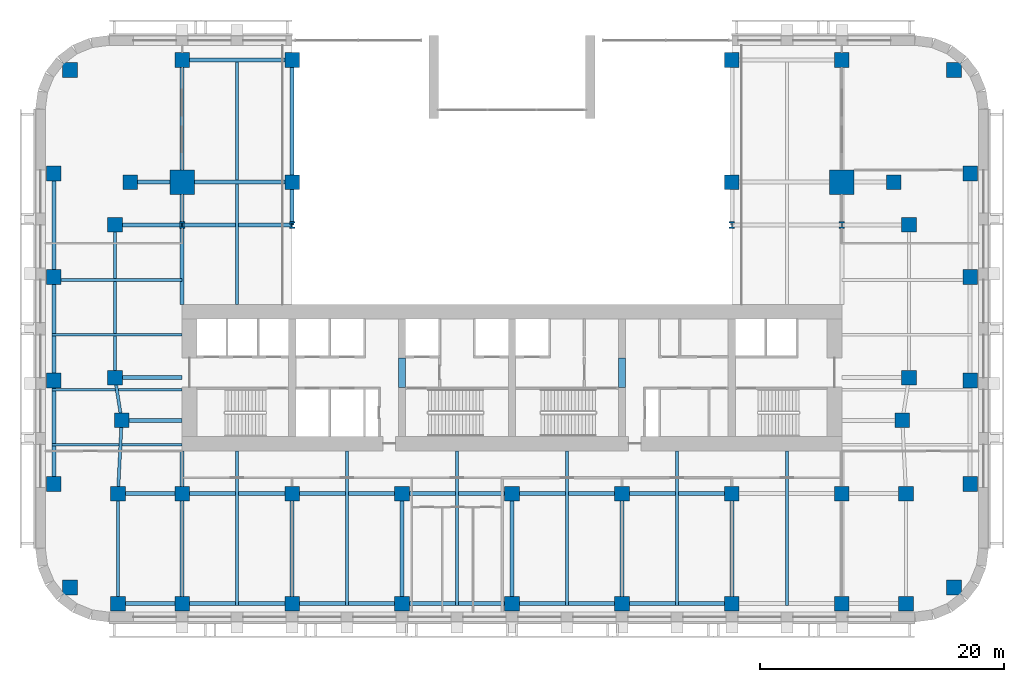
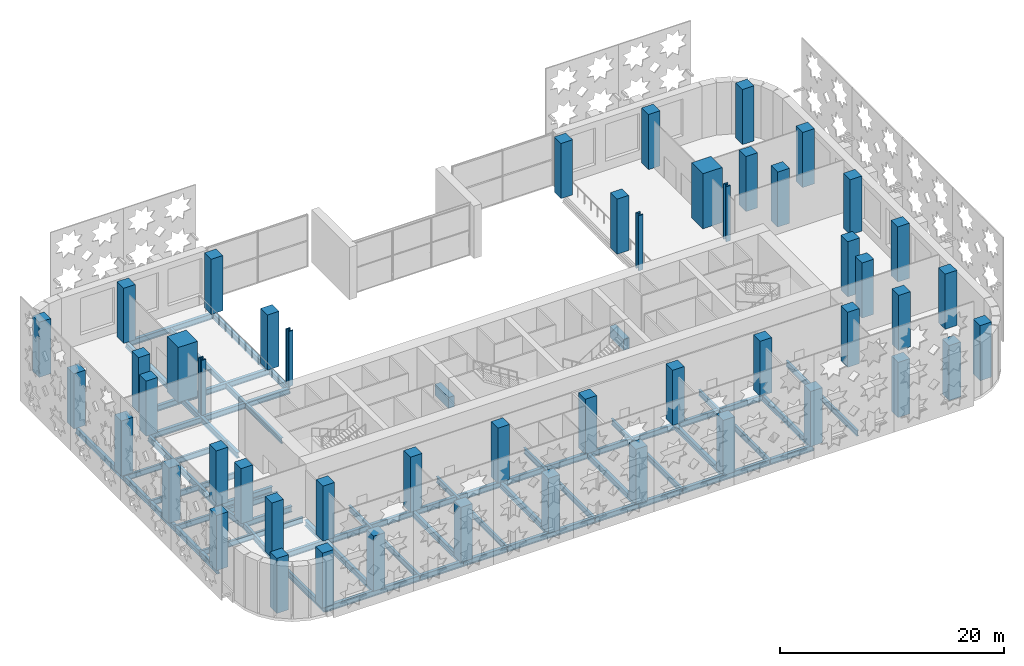
# One storey, part 1 of 17: 50 columns, 39 beams.
"""IFC4 building model written with IfcOpenShell, lengths in metres."""

from ifc_helpers import new_model, si_unit, direction, frame, origin, origin_2d, place, context, subcontext, project, spatial, rectangle, i_section, extrude, material, material_profile, profile_set, type_object, element, save


model = new_model("IFC4")

# Units and contexts
model_context = context("Model", 3, precision=1e-05, world=origin(), true_north=direction((0.0, 1.0)))
body_context = subcontext(model_context, "Body", "Model", "MODEL_VIEW")
ifc_project = project(units=[si_unit("LENGTHUNIT", "METRE"), si_unit("AREAUNIT", "SQUARE_METRE"), si_unit("VOLUMEUNIT", "CUBIC_METRE"), si_unit("PLANEANGLEUNIT", "RADIAN"), si_unit("MASSUNIT", "GRAM", prefix="KILO")], contexts=[model_context])

# Site, building, storey
site_placement = place(None, origin())
site = spatial("IfcSite", under=ifc_project, at=site_placement, CompositionType="ELEMENT")
building_placement = place(site_placement, origin())
building = spatial("IfcBuilding", under=site, at=building_placement, Name="Zellij Exchange Tower", CompositionType="ELEMENT")
storey_placement = place(building_placement, frame((0.0, 0.0, 9.0)))
storey = spatial("IfcBuildingStorey", under=building, at=storey_placement, Name="L01", CompositionType="ELEMENT", Elevation=9.0)

# Columns
ifc_material_1 = material(Name="Concrete C70/85", Category="concrete")
ifc_material_profile_1 = material_profile(ifc_material_1, rectangle(XDim=1.199951171875, YDim=1.199951171875, at=origin_2d()), Name="STR-COLUMN RC1200x1200 C70/85")
ifc_profile_set_1 = profile_set([ifc_material_profile_1], Name="Concrete C70/85")
column_type_1 = type_object("IfcColumnType", Name="STR-COLUMN RC1200x1200 C70/85", PredefinedType="COLUMN", material=ifc_profile_set_1)
for number, where, z_axis, x_axis, name in (
    (1, (-32.25, -26.5, 0.0), (0.0, 0.0, 1.0), (1.0, 0.0, 0.0), "C12"),
    (2, (-27.0, -26.5, 0.0), (0.0, 0.0, 1.0), (1.0, 0.0, 0.0), "C12"),
    (3, (-18.0, -26.5, 0.0), (0.0, 0.0, 1.0), (1.0, 0.0, 0.0), "C12"),
    (4, (-9.0, -26.5, 0.0), (0.0, 0.0, 1.0), (1.0, 0.0, 0.0), "C12"),
    (5, (0.0, -26.5, 0.0), (0.0, 0.0, 1.0), (1.0, 0.0, 0.0), "C12"),
    (6, (9.0, -26.5, 0.0), (0.0, 0.0, 1.0), (1.0, 0.0, 0.0), "C12"),
    (7, (18.0, -26.5, 0.0), (0.0, 0.0, 1.0), (1.0, 0.0, 0.0), "C12"),
    (8, (27.0, -26.5, 0.0), (0.0, 0.0, 1.0), (1.0, 0.0, 0.0), "C12"),
    (9, (32.25, -26.5, 0.0), (0.0, 0.0, 1.0), (1.0, 0.0, 0.0), "C12"),
    (10, (-36.181884765625, -25.181884765625, 0.0), (0.0, 0.0, 1.0), (1.0, 0.0, 0.0), "C12"),
    (11, (36.181884765625, -25.181884765625, 0.0), (0.0, 0.0, 1.0), (1.0, 0.0, 0.0), "C12"),
    (12, (-32.25, -17.5, 0.0), (0.0, 0.0, 1.0), (1.0, 0.0, 0.0), "C12"),
    (13, (-27.0, -17.5, 0.0), (0.0, 0.0, 1.0), (1.0, 0.0, 0.0), "C12"),
    (14, (-18.0, -17.5, 0.0), (0.0, 0.0, 1.0), (1.0, 0.0, 0.0), "C12"),
    (15, (-9.0, -17.5, 0.0), (0.0, 0.0, 1.0), (1.0, 0.0, 0.0), "C12"),
    (16, (0.0, -17.5, 0.0), (0.0, 0.0, 1.0), (1.0, 0.0, 0.0), "C12"),
    (17, (9.0, -17.5, 0.0), (0.0, 0.0, 1.0), (1.0, 0.0, 0.0), "C12"),
    (18, (18.0, -17.5, 0.0), (0.0, 0.0, 1.0), (1.0, 0.0, 0.0), "C12"),
    (19, (27.0, -17.5, 0.0), (0.0, 0.0, 1.0), (1.0, 0.0, 0.0), "C12"),
    (20, (32.25, -17.5, 0.0), (0.0, 0.0, 1.0), (1.0, 0.0, 0.0), "C12"),
    (21, (-37.5, -16.709228515625, 0.0), (0.0, 0.0, 1.0), (1.0, 0.0, 0.0), "C12"),
    (22, (37.5, -16.709228515625, 0.0), (0.0, 0.0, 1.0), (1.0, 0.0, 0.0), "C12"),
    (23, (-31.949951171875, -11.5, 0.0), (0.0, 0.0, 1.0), (1.0, 0.0, 0.0), "C12"),
    (24, (31.949951171875, -11.5, 0.0), (0.0, 0.0, 1.0), (1.0, 0.0, 0.0), "C12"),
    (25, (-37.5, -8.236328125, 0.0), (0.0, 0.0, 1.0), (1.0, 0.0, 0.0), "C12"),
    (26, (37.5, -8.236328125, 0.0), (0.0, 0.0, 1.0), (1.0, 0.0, 0.0), "C12"),
    (27, (-32.5, -8.0, 0.0), (0.0, 0.0, 1.0), (1.0, 0.0, 0.0), "C12"),
    (28, (32.5, -8.0, 0.0), (0.0, 0.0, 1.0), (1.0, 0.0, 0.0), "C12"),
    (29, (-37.5, 0.236328125, 0.0), (0.0, 0.0, 1.0), (1.0, 0.0, 0.0), "C12"),
    (30, (37.5, 0.236328125, 0.0), (0.0, 0.0, 1.0), (1.0, 0.0, 0.0), "C12"),
    (31, (-32.5, 4.5, 0.0), (0.0, 0.0, 1.0), (1.0, 0.0, 0.0), "C12"),
    (32, (32.5, 4.5, 0.0), (0.0, 0.0, 1.0), (1.0, 0.0, 0.0), "C12"),
    (33, (-31.25, 8.0, 0.0), (0.0, 0.0, 1.0), (1.0, 0.0, 0.0), "C12"),
    (34, (-18.0, 8.0, 0.0), (0.0, 0.0, 1.0), (1.0, 0.0, 0.0), "C12"),
    (35, (18.0, 8.0, 0.0), (0.0, 0.0, 1.0), (1.0, 0.0, 0.0), "C12"),
    (36, (31.25, 8.0, 0.0), (0.0, 0.0, 1.0), (1.0, 0.0, 0.0), "C12"),
    (37, (-37.5, 8.709228515625, 0.0), (0.0, 0.0, 1.0), (1.0, 0.0, 0.0), "C12"),
    (38, (37.5, 8.709228515625, 0.0), (0.0, 0.0, 1.0), (1.0, 0.0, 0.0), "C12"),
    (39, (-36.181884765625, 17.181884765625, 0.0), (0.0, 0.0, 1.0), (1.0, 0.0, 0.0), "C12"),
    (40, (36.181884765625, 17.181884765625, 0.0), (0.0, 0.0, 1.0), (1.0, 0.0, 0.0), "C12"),
    (41, (-27.0, 18.0, 0.0), (0.0, 0.0, 1.0), (1.0, 0.0, 0.0), "C12"),
    (42, (-18.0, 18.0, 0.0), (0.0, 0.0, 1.0), (1.0, 0.0, 0.0), "C12"),
    (43, (18.0, 18.0, 0.0), (0.0, 0.0, 1.0), (1.0, 0.0, 0.0), "C12"),
    (44, (27.0, 18.0, 0.0), (0.0, 0.0, 1.0), (1.0, 0.0, 0.0), "C12"),
):
    element("IfcColumn", number, at=place(storey_placement, frame(where, z_axis=z_axis, x_axis=x_axis)), inside=storey, type_object=column_type_1, Name=name, PredefinedType="COLUMN", context=body_context, shape_type="SweptSolid", body=[
        extrude(rectangle(XDim=1.199951171875, YDim=1.199951171875, at=origin_2d()), origin(), (0.0, 0.0, 1.0), 6.0),
    ])
ifc_material_2 = material(Name="Structural steel ASTM A913 Gr 65", Category="steel")
ifc_material_profile_2 = material_profile(ifc_material_2, i_section(OverallWidth=0.45458984375, OverallDepth=0.56884765625, WebThickness=0.077880859375, FlangeThickness=0.124755859375, at=origin_2d()), Name="W14x730")
ifc_profile_set_2 = profile_set([ifc_material_profile_2], Name="Structural steel ASTM A913 Gr 65")
column_type_2 = type_object("IfcColumnType", Name="STR-COLUMN W14x730", PredefinedType="COLUMN", material=ifc_profile_set_2)
for number, where, z_axis, x_axis, name in (
    (45, (-27.0, 4.5, 0.0), (0.0, 0.0, 1.0), (1.0, 0.0, 0.0), "C7"),
    (46, (-18.0, 4.5, 0.0), (0.0, 0.0, 1.0), (1.0, 0.0, 0.0), "C7"),
    (47, (18.0, 4.5, 0.0), (0.0, 0.0, 1.0), (1.0, 0.0, 0.0), "C7"),
    (48, (27.0, 4.5, 0.0), (0.0, 0.0, 1.0), (1.0, 0.0, 0.0), "C7"),
):
    element("IfcColumn", number, at=place(storey_placement, frame(where, z_axis=z_axis, x_axis=x_axis)), inside=storey, type_object=column_type_2, Name=name, PredefinedType="COLUMN", context=body_context, shape_type="SweptSolid", body=[
        extrude(i_section(OverallWidth=0.45458984375, OverallDepth=0.56884765625, WebThickness=0.077880859375, FlangeThickness=0.124755859375, at=origin_2d()), origin(), (0.0, 0.0, 1.0), 6.0),
    ])
ifc_material_profile_3 = material_profile(ifc_material_1, rectangle(XDim=2.0, YDim=2.0, at=origin_2d()), Name="STR-MEGA COLUMN RC2000x2000 C70/85")
ifc_profile_set_3 = profile_set([ifc_material_profile_3], Name="Concrete C70/85")
column_type_3 = type_object("IfcColumnType", Name="STR-MEGA COLUMN RC2000x2000 C70/85", PredefinedType="COLUMN", material=ifc_profile_set_3)
for number, where, z_axis, x_axis, name in (
    (49, (-27.0, 8.0, 0.0), (0.0, 0.0, 1.0), (1.0, 0.0, 0.0), "MC8"),
    (50, (27.0, 8.0, 0.0), (0.0, 0.0, 1.0), (1.0, 0.0, 0.0), "MC8"),
):
    element("IfcColumn", number, at=place(storey_placement, frame(where, z_axis=z_axis, x_axis=x_axis)), inside=storey, type_object=column_type_3, Name=name, PredefinedType="COLUMN", context=body_context, shape_type="SweptSolid", body=[
        extrude(rectangle(XDim=2.0, YDim=2.0, at=origin_2d()), origin(), (0.0, 0.0, 1.0), 6.0),
    ])

# Beams
ifc_material_profile_4 = material_profile(ifc_material_1, rectangle(XDim=0.60009765625, YDim=1.199951171875, at=origin_2d()), Name="CORE-CB 600x1200 C70/85")
ifc_profile_set_4 = profile_set([ifc_material_profile_4], Name="Concrete C70/85")
beam_type_1 = type_object("IfcBeamType", Name="CORE-CB 600x1200 C70/85", PredefinedType="BEAM", material=ifc_profile_set_4)
for number, where, z_axis, x_axis, name in (
    (51, (-9.0, -8.800048828125, 3.0), (0.0, 1.0, 0.0), (-1.0, 0.0, 0.0), "Core coupling beam x -9 L01"),
    (52, (9.0, -8.800048828125, 3.0), (0.0, 1.0, 0.0), (-1.0, 0.0, 0.0), "Core coupling beam x 9 L01"),
):
    element("IfcBeam", number, at=place(storey_placement, frame(where, z_axis=z_axis, x_axis=x_axis)), inside=storey, type_object=beam_type_1, Name=name, PredefinedType="BEAM", context=body_context, shape_type="SweptSolid", body=[
        extrude(rectangle(XDim=0.60009765625, YDim=1.199951171875, at=origin_2d()), origin(), (0.0, 0.0, 1.0), 2.425048828125),
    ])
ifc_material_3 = material(Name="Structural steel ASTM A992 Gr 50", Category="steel")
ifc_material_profile_5 = material_profile(ifc_material_3, i_section(OverallWidth=0.22900390625, OverallDepth=0.612060546875, WebThickness=0.011962890625, FlangeThickness=0.01953125, at=origin_2d()), Name="W24x84")
ifc_profile_set_5 = profile_set([ifc_material_profile_5], Name="Structural steel ASTM A992 Gr 50")
beam_type_2 = type_object("IfcBeamType", Name="STR-BEAM W24x84", PredefinedType="BEAM", material=ifc_profile_set_5)
beam_1_placement = place(storey_placement, frame((-22.5, -26.66259765625, -0.606201171875), z_axis=(0.0, 1.0, 0.0), x_axis=(-1.0, 0.0, 0.0)))
element("IfcBeam", 53, at=beam_1_placement, inside=storey, type_object=beam_type_2, Name="B6", PredefinedType="BEAM", context=body_context, shape_type="SweptSolid", body=[
    extrude(i_section(OverallWidth=0.22900390625, OverallDepth=0.612060546875, WebThickness=0.011962890625, FlangeThickness=0.01953125, at=origin_2d()), origin(), (0.0, 0.0, 1.0), 12.66259765625),
])
beam_2_placement = place(storey_placement, frame((-22.5, -2.0, -0.606201171875), z_axis=(0.0, 1.0, 0.0), x_axis=(-1.0, 0.0, 0.0)))
element("IfcBeam", 54, at=beam_2_placement, inside=storey, type_object=beam_type_2, Name="B6", PredefinedType="BEAM", context=body_context, shape_type="SweptSolid", body=[
    extrude(i_section(OverallWidth=0.22900390625, OverallDepth=0.612060546875, WebThickness=0.011962890625, FlangeThickness=0.01953125, at=origin_2d()), origin(), (0.0, 0.0, 1.0), 20.16259765625),
])
for number, where, z_axis, x_axis, name in (
    (55, (-13.5, -26.66259765625, -0.606201171875), (0.0, 1.0, 0.0), (-1.0, 0.0, 0.0), "B6"),
    (56, (-4.5, -26.66259765625, -0.606201171875), (0.0, 1.0, 0.0), (-1.0, 0.0, 0.0), "B6"),
    (57, (4.5, -26.66259765625, -0.606201171875), (0.0, 1.0, 0.0), (-1.0, 0.0, 0.0), "B6"),
    (58, (13.5, -26.66259765625, -0.606201171875), (0.0, 1.0, 0.0), (-1.0, 0.0, 0.0), "B6"),
    (59, (22.5, -26.66259765625, -0.606201171875), (0.0, 1.0, 0.0), (-1.0, 0.0, 0.0), "B6"),
):
    element("IfcBeam", number, at=place(storey_placement, frame(where, z_axis=z_axis, x_axis=x_axis)), inside=storey, type_object=beam_type_2, Name=name, PredefinedType="BEAM", context=body_context, shape_type="SweptSolid", body=[
        extrude(i_section(OverallWidth=0.22900390625, OverallDepth=0.612060546875, WebThickness=0.011962890625, FlangeThickness=0.01953125, at=origin_2d()), origin(), (0.0, 0.0, 1.0), 12.66259765625),
    ])
for number, where, z_axis, x_axis, name in (
    (60, (-37.66259765625, -13.5, -0.606201171875), (1.0, 0.0, 0.0), (0.0, 1.0, 0.0), "B6"),
    (61, (-37.66259765625, -9.0, -0.606201171875), (1.0, 0.0, 0.0), (0.0, 1.0, 0.0), "B6"),
    (62, (-37.66259765625, -4.5, -0.606201171875), (1.0, 0.0, 0.0), (0.0, 1.0, 0.0), "B6"),
    (63, (-37.66259765625, 0.0, -0.606201171875), (1.0, 0.0, 0.0), (0.0, 1.0, 0.0), "B6"),
):
    element("IfcBeam", number, at=place(storey_placement, frame(where, z_axis=z_axis, x_axis=x_axis)), inside=storey, type_object=beam_type_2, Name=name, PredefinedType="BEAM", context=body_context, shape_type="SweptSolid", body=[
        extrude(i_section(OverallWidth=0.22900390625, OverallDepth=0.612060546875, WebThickness=0.011962890625, FlangeThickness=0.01953125, at=origin_2d()), origin(), (0.0, 0.0, 1.0), 10.66259765625),
    ])
ifc_material_profile_6 = material_profile(ifc_material_3, i_section(OverallWidth=0.25390625, OverallDepth=0.67822265625, WebThickness=0.01171875, FlangeThickness=0.016357421875, at=origin_2d()), Name="W27x84")
ifc_profile_set_6 = profile_set([ifc_material_profile_6], Name="Structural steel ASTM A992 Gr 50")
beam_type_3 = type_object("IfcBeamType", Name="STR-EDGE GIRDER W27x84", PredefinedType="BEAM", material=ifc_profile_set_6)
beam_3_placement = place(storey_placement, frame((-32.25, -26.5, -0.63916015625), z_axis=(0.0, 1.0, 0.0), x_axis=(-1.0, 0.0, 0.0)))
element("IfcBeam", 64, at=beam_3_placement, inside=storey, type_object=beam_type_3, Name="EB7", PredefinedType="BEAM", context=body_context, shape_type="SweptSolid", body=[
    extrude(i_section(OverallWidth=0.25390625, OverallDepth=0.67822265625, WebThickness=0.01171875, FlangeThickness=0.016357421875, at=origin_2d()), origin(), (0.0, 0.0, 1.0), 9.0),
])
beam_4_placement = place(storey_placement, frame((-32.25, -17.5, -0.63916015625), z_axis=(0.049945724537, 0.998751933465, 0.0), x_axis=(-0.998751933465, 0.049945724537, 0.0)))
element("IfcBeam", 65, at=beam_4_placement, inside=storey, type_object=beam_type_3, Name="EB7", PredefinedType="BEAM", context=body_context, shape_type="SweptSolid", body=[
    extrude(i_section(OverallWidth=0.25390625, OverallDepth=0.67822265625, WebThickness=0.01171875, FlangeThickness=0.016357421875, at=origin_2d()), origin(), (0.0, 0.0, 1.0), 6.007568359375),
])
beam_5_placement = place(storey_placement, frame((-31.949951171875, -11.5, -0.63916015625), z_axis=(-0.155251283593, 0.987875011802, 0.0), x_axis=(-0.987875011802, -0.155251283593, 0.0)))
element("IfcBeam", 66, at=beam_5_placement, inside=storey, type_object=beam_type_3, Name="EB7", PredefinedType="BEAM", context=body_context, shape_type="SweptSolid", body=[
    extrude(i_section(OverallWidth=0.25390625, OverallDepth=0.67822265625, WebThickness=0.01171875, FlangeThickness=0.016357421875, at=origin_2d()), origin(), (0.0, 0.0, 1.0), 3.54296875),
])
beam_6_placement = place(storey_placement, frame((-32.5, -8.0, -0.63916015625), z_axis=(0.0, 1.0, 0.0), x_axis=(-1.0, 0.0, 0.0)))
element("IfcBeam", 67, at=beam_6_placement, inside=storey, type_object=beam_type_3, Name="EB7", PredefinedType="BEAM", context=body_context, shape_type="SweptSolid", body=[
    extrude(i_section(OverallWidth=0.25390625, OverallDepth=0.67822265625, WebThickness=0.01171875, FlangeThickness=0.016357421875, at=origin_2d()), origin(), (0.0, 0.0, 1.0), 12.5),
])
ifc_material_profile_7 = material_profile(ifc_material_3, i_section(OverallWidth=0.3251953125, OverallDepth=0.612060546875, WebThickness=0.0126953125, FlangeThickness=0.01904296875, at=origin_2d()), Name="W24x104")
ifc_profile_set_7 = profile_set([ifc_material_profile_7], Name="Structural steel ASTM A992 Gr 50")
beam_type_4 = type_object("IfcBeamType", Name="STR-GIRDER W24x104", PredefinedType="BEAM", material=ifc_profile_set_7)
beam_7_placement = place(storey_placement, frame((-32.25, -26.5, -0.606201171875), z_axis=(1.0, 0.0, 0.0), x_axis=(0.0, 1.0, 0.0)))
element("IfcBeam", 68, at=beam_7_placement, inside=storey, type_object=beam_type_4, Name="G3", PredefinedType="BEAM", context=body_context, shape_type="SweptSolid", body=[
    extrude(i_section(OverallWidth=0.3251953125, OverallDepth=0.612060546875, WebThickness=0.0126953125, FlangeThickness=0.01904296875, at=origin_2d()), origin(), (0.0, 0.0, 1.0), 14.25),
])
for number, where, z_axis, x_axis, name in (
    (69, (-18.0, -26.5, -0.606201171875), (1.0, 0.0, 0.0), (0.0, 1.0, 0.0), "G3"),
    (70, (0.0, -26.5, -0.606201171875), (1.0, 0.0, 0.0), (0.0, 1.0, 0.0), "G3"),
):
    element("IfcBeam", number, at=place(storey_placement, frame(where, z_axis=z_axis, x_axis=x_axis)), inside=storey, type_object=beam_type_4, Name=name, PredefinedType="BEAM", context=body_context, shape_type="SweptSolid", body=[
        extrude(i_section(OverallWidth=0.3251953125, OverallDepth=0.612060546875, WebThickness=0.0126953125, FlangeThickness=0.01904296875, at=origin_2d()), origin(), (0.0, 0.0, 1.0), 18.0),
    ])
beam_8_placement = place(storey_placement, frame((-32.25, -17.5, -0.606201171875), z_axis=(1.0, 0.0, 0.0), x_axis=(0.0, 1.0, 0.0)))
element("IfcBeam", 71, at=beam_8_placement, inside=storey, type_object=beam_type_4, Name="G3", PredefinedType="BEAM", context=body_context, shape_type="SweptSolid", body=[
    extrude(i_section(OverallWidth=0.3251953125, OverallDepth=0.612060546875, WebThickness=0.0126953125, FlangeThickness=0.01904296875, at=origin_2d()), origin(), (0.0, 0.0, 1.0), 14.25),
])
for number, where, z_axis, x_axis, name in (
    (72, (-18.0, -17.5, -0.606201171875), (1.0, 0.0, 0.0), (0.0, 1.0, 0.0), "G3"),
    (73, (0.0, -17.5, -0.606201171875), (1.0, 0.0, 0.0), (0.0, 1.0, 0.0), "G3"),
):
    element("IfcBeam", number, at=place(storey_placement, frame(where, z_axis=z_axis, x_axis=x_axis)), inside=storey, type_object=beam_type_4, Name=name, PredefinedType="BEAM", context=body_context, shape_type="SweptSolid", body=[
        extrude(i_section(OverallWidth=0.3251953125, OverallDepth=0.612060546875, WebThickness=0.0126953125, FlangeThickness=0.01904296875, at=origin_2d()), origin(), (0.0, 0.0, 1.0), 18.0),
    ])
beam_9_placement = place(storey_placement, frame((-31.949951171875, -11.5, -0.606201171875), z_axis=(1.0, 0.0, 0.0), x_axis=(0.0, 1.0, 0.0)))
element("IfcBeam", 74, at=beam_9_placement, inside=storey, type_object=beam_type_4, Name="G3", PredefinedType="BEAM", context=body_context, shape_type="SweptSolid", body=[
    extrude(i_section(OverallWidth=0.3251953125, OverallDepth=0.612060546875, WebThickness=0.0126953125, FlangeThickness=0.01904296875, at=origin_2d()), origin(), (0.0, 0.0, 1.0), 4.949951171875),
])
beam_10_placement = place(storey_placement, frame((-32.5, -8.0, -0.606201171875), z_axis=(1.0, 0.0, 0.0), x_axis=(0.0, 1.0, 0.0)))
element("IfcBeam", 75, at=beam_10_placement, inside=storey, type_object=beam_type_4, Name="G3", PredefinedType="BEAM", context=body_context, shape_type="SweptSolid", body=[
    extrude(i_section(OverallWidth=0.3251953125, OverallDepth=0.612060546875, WebThickness=0.0126953125, FlangeThickness=0.01904296875, at=origin_2d()), origin(), (0.0, 0.0, 1.0), 5.5),
])
beam_11_placement = place(storey_placement, frame((-32.5, 4.5, -0.606201171875), z_axis=(1.0, 0.0, 0.0), x_axis=(0.0, 1.0, 0.0)))
element("IfcBeam", 76, at=beam_11_placement, inside=storey, type_object=beam_type_4, Name="G3", PredefinedType="BEAM", context=body_context, shape_type="SweptSolid", body=[
    extrude(i_section(OverallWidth=0.3251953125, OverallDepth=0.612060546875, WebThickness=0.0126953125, FlangeThickness=0.01904296875, at=origin_2d()), origin(), (0.0, 0.0, 1.0), 14.5),
])
beam_12_placement = place(storey_placement, frame((-31.25, 8.0, -0.606201171875), z_axis=(1.0, 0.0, 0.0), x_axis=(0.0, 1.0, 0.0)))
element("IfcBeam", 77, at=beam_12_placement, inside=storey, type_object=beam_type_4, Name="G3", PredefinedType="BEAM", context=body_context, shape_type="SweptSolid", body=[
    extrude(i_section(OverallWidth=0.3251953125, OverallDepth=0.612060546875, WebThickness=0.0126953125, FlangeThickness=0.01904296875, at=origin_2d()), origin(), (0.0, 0.0, 1.0), 13.25),
])
beam_13_placement = place(storey_placement, frame((-27.0, 18.0, -0.606201171875), z_axis=(1.0, 0.0, 0.0), x_axis=(0.0, 1.0, 0.0)))
element("IfcBeam", 78, at=beam_13_placement, inside=storey, type_object=beam_type_4, Name="G3", PredefinedType="BEAM", context=body_context, shape_type="SweptSolid", body=[
    extrude(i_section(OverallWidth=0.3251953125, OverallDepth=0.612060546875, WebThickness=0.0126953125, FlangeThickness=0.01904296875, at=origin_2d()), origin(), (0.0, 0.0, 1.0), 9.0),
])
beam_14_placement = place(storey_placement, frame((-37.5, -16.708984375, -0.606201171875), z_axis=(0.0, 1.0, 0.0), x_axis=(-1.0, 0.0, 0.0)))
element("IfcBeam", 79, at=beam_14_placement, inside=storey, type_object=beam_type_4, Name="G3", PredefinedType="BEAM", context=body_context, shape_type="SweptSolid", body=[
    extrude(i_section(OverallWidth=0.3251953125, OverallDepth=0.612060546875, WebThickness=0.0126953125, FlangeThickness=0.01904296875, at=origin_2d()), origin(), (0.0, 0.0, 1.0), 16.945068359375),
])
beam_15_placement = place(storey_placement, frame((-37.5, 0.236083984375, -0.606201171875), z_axis=(0.0, 1.0, 0.0), x_axis=(-1.0, 0.0, 0.0)))
element("IfcBeam", 80, at=beam_15_placement, inside=storey, type_object=beam_type_4, Name="G3", PredefinedType="BEAM", context=body_context, shape_type="SweptSolid", body=[
    extrude(i_section(OverallWidth=0.3251953125, OverallDepth=0.612060546875, WebThickness=0.0126953125, FlangeThickness=0.01904296875, at=origin_2d()), origin(), (0.0, 0.0, 1.0), 8.472900390625),
])
beam_16_placement = place(storey_placement, frame((-27.0, -26.5, -0.606201171875), z_axis=(0.0, 1.0, 0.0), x_axis=(-1.0, 0.0, 0.0)))
element("IfcBeam", 81, at=beam_16_placement, inside=storey, type_object=beam_type_4, Name="G3", PredefinedType="BEAM", context=body_context, shape_type="SweptSolid", body=[
    extrude(i_section(OverallWidth=0.3251953125, OverallDepth=0.612060546875, WebThickness=0.0126953125, FlangeThickness=0.01904296875, at=origin_2d()), origin(), (0.0, 0.0, 1.0), 12.5),
])
for number, where, z_axis, x_axis, name in (
    (82, (-27.0, -2.0, -0.606201171875), (0.0, 1.0, 0.0), (-1.0, 0.0, 0.0), "G3"),
    (83, (-27.0, 8.0, -0.606201171875), (0.0, 1.0, 0.0), (-1.0, 0.0, 0.0), "G3"),
):
    element("IfcBeam", number, at=place(storey_placement, frame(where, z_axis=z_axis, x_axis=x_axis)), inside=storey, type_object=beam_type_4, Name=name, PredefinedType="BEAM", context=body_context, shape_type="SweptSolid", body=[
        extrude(i_section(OverallWidth=0.3251953125, OverallDepth=0.612060546875, WebThickness=0.0126953125, FlangeThickness=0.01904296875, at=origin_2d()), origin(), (0.0, 0.0, 1.0), 10.0),
    ])
beam_17_placement = place(storey_placement, frame((-18.0, -26.5, -0.606201171875), z_axis=(0.0, 1.0, 0.0), x_axis=(-1.0, 0.0, 0.0)))
element("IfcBeam", 84, at=beam_17_placement, inside=storey, type_object=beam_type_4, Name="G3", PredefinedType="BEAM", context=body_context, shape_type="SweptSolid", body=[
    extrude(i_section(OverallWidth=0.3251953125, OverallDepth=0.612060546875, WebThickness=0.0126953125, FlangeThickness=0.01904296875, at=origin_2d()), origin(), (0.0, 0.0, 1.0), 9.0),
])
beam_18_placement = place(storey_placement, frame((-18.0, 4.5, -0.606201171875), z_axis=(0.0, 1.0, 0.0), x_axis=(-1.0, 0.0, 0.0)))
element("IfcBeam", 85, at=beam_18_placement, inside=storey, type_object=beam_type_4, Name="G3", PredefinedType="BEAM", context=body_context, shape_type="SweptSolid", body=[
    extrude(i_section(OverallWidth=0.3251953125, OverallDepth=0.612060546875, WebThickness=0.0126953125, FlangeThickness=0.01904296875, at=origin_2d()), origin(), (0.0, 0.0, 1.0), 13.5),
])
for number, where, z_axis, x_axis, name in (
    (86, (-9.0, -26.5, -0.606201171875), (0.0, 1.0, 0.0), (-1.0, 0.0, 0.0), "G3"),
    (87, (0.0, -26.5, -0.606201171875), (0.0, 1.0, 0.0), (-1.0, 0.0, 0.0), "G3"),
    (88, (9.0, -26.5, -0.606201171875), (0.0, 1.0, 0.0), (-1.0, 0.0, 0.0), "G3"),
    (89, (18.0, -26.5, -0.606201171875), (0.0, 1.0, 0.0), (-1.0, 0.0, 0.0), "G3"),
):
    element("IfcBeam", number, at=place(storey_placement, frame(where, z_axis=z_axis, x_axis=x_axis)), inside=storey, type_object=beam_type_4, Name=name, PredefinedType="BEAM", context=body_context, shape_type="SweptSolid", body=[
        extrude(i_section(OverallWidth=0.3251953125, OverallDepth=0.612060546875, WebThickness=0.0126953125, FlangeThickness=0.01904296875, at=origin_2d()), origin(), (0.0, 0.0, 1.0), 9.0),
    ])

save(model, "model.ifc")
